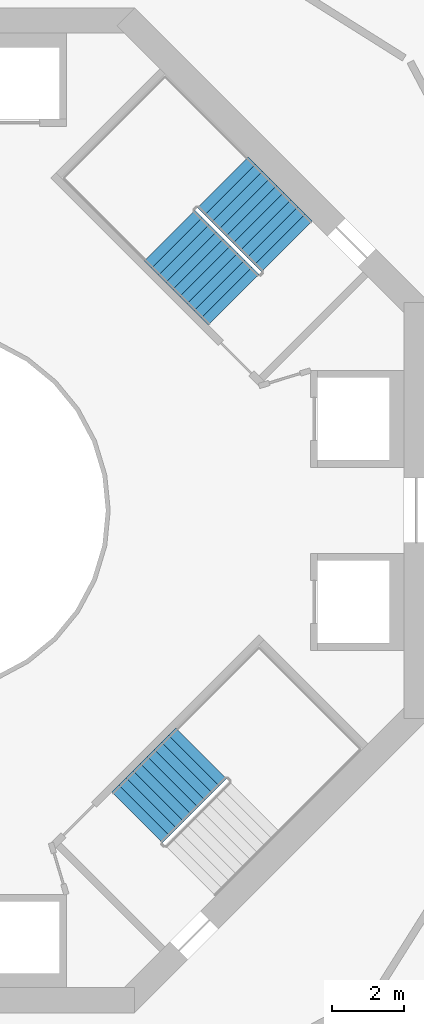
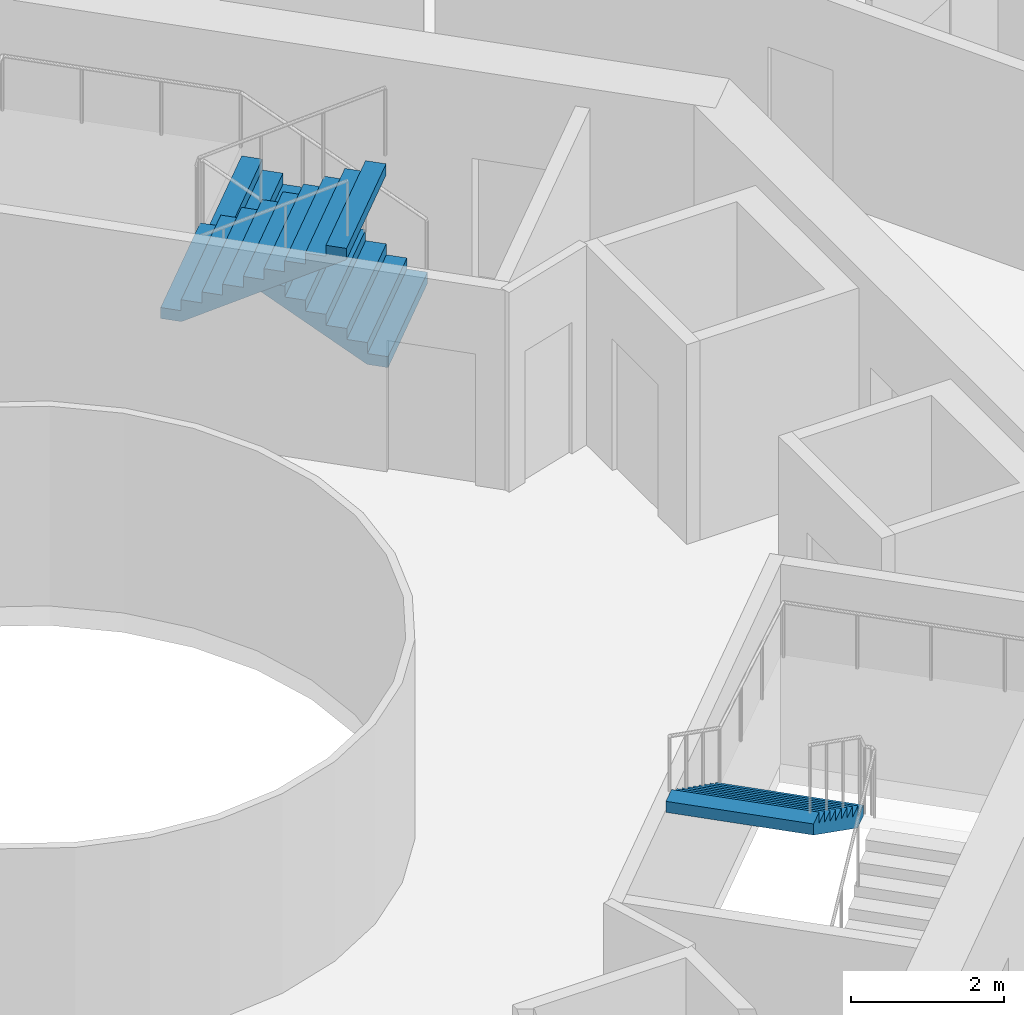
# One storey, part 22 of 23: 3 stair flights, 2 elements without a shape of their own.
"""IFC4 building model written with IfcOpenShell, lengths in metres."""

import ifcopenshell
import ifcopenshell.guid

model = None  # the IFC model being written
_history = None  # IfcOwnerHistory: only IFC2X3 demands one
_inside = {}  # id of a spatial element -> (the spatial element, [elements in it])
_under = {}  # id of a project, library or spatial element -> (it, [spatial elements below it])
_declared = {}  # id of a project -> (the project, [libraries it declares])
_typed = {}  # id of a type object -> (the type object, [elements of that type])
_made_of = {}  # id of a material, layer set ... -> (it, [elements and type objects made of it])


def new_model(schema):
    """Start an empty IFC model of exactly this schema.

    Asked for "IFC4X3", IfcOpenShell would pick the latest addendum, in which some entities
    have other attributes; the version numbers below select the first issue.
    IFC2X3 requires an IfcOwnerHistory on every rooted entity: one is made here for all.
    """
    global model, _history
    if schema == "IFC4X3":
        model = ifcopenshell.file(schema_version=(4, 3, 0, 0))
    else:
        model = ifcopenshell.file(schema=schema)
    _inside.clear()
    _under.clear()
    _declared.clear()
    _typed.clear()
    _made_of.clear()
    _history = None
    if model.schema == "IFC2X3":
        org = make("IfcOrganization", Name="unknown")
        user = make(
            "IfcPersonAndOrganization",
            ThePerson=make("IfcPerson", FamilyName="unknown"),
            TheOrganization=org,
        )
        app = make(
            "IfcApplication",
            ApplicationDeveloper=org,
            Version="unknown",
            ApplicationFullName="unknown",
            ApplicationIdentifier="unknown",
        )
        _history = make(
            "IfcOwnerHistory",
            OwningUser=user,
            OwningApplication=app,
            ChangeAction="ADDED",
            CreationDate=0,
        )
    return model


def make(cls, **values):
    """One entity of the class cls with the attributes given. An attribute that is None is left unset."""
    return model.create_entity(
        cls, **{name: value for name, value in values.items() if value is not None}
    )


def rooted(cls, **values):
    """An entity with a GlobalId (a new one), such as an element, a storey or a relation."""
    return make(cls, GlobalId=ifcopenshell.guid.new(), OwnerHistory=_history, **values)


def si_unit(unit_type, name, prefix=None):
    """IfcSIUnit, for example si_unit("LENGTHUNIT", "METRE", prefix="MILLI")."""
    return make("IfcSIUnit", UnitType=unit_type, Prefix=prefix, Name=name)


def assignment(units):
    """IfcUnitAssignment: the units of a project."""
    return None if units is None else make("IfcUnitAssignment", Units=units)


def point(xyz):
    """IfcCartesianPoint."""
    return None if xyz is None else make("IfcCartesianPoint", Coordinates=xyz)


def direction(xyz):
    """IfcDirection."""
    return None if xyz is None else make("IfcDirection", DirectionRatios=xyz)


def frame(location, z_axis=None, x_axis=None):
    """IfcAxis2Placement3D, a coordinate frame: its origin and axes. An axis left out is left unset."""
    return make(
        "IfcAxis2Placement3D",
        Location=point(location),
        Axis=direction(z_axis),
        RefDirection=direction(x_axis),
    )


def origin():
    """The frame at (0, 0, 0) with its axes left unset."""
    return frame((0.0, 0.0, 0.0))


def place(relative_to, where):
    """IfcLocalPlacement: puts the frame where relative to a parent placement (None: the world)."""
    return make(
        "IfcLocalPlacement", PlacementRelTo=relative_to, RelativePlacement=where
    )


def context(
    kind, dimensions, precision=None, world=None, true_north=None, identifier=None
):
    """IfcGeometricRepresentationContext, for example the 3D "Model" context."""
    return make(
        "IfcGeometricRepresentationContext",
        ContextIdentifier=identifier,
        ContextType=kind,
        CoordinateSpaceDimension=dimensions,
        Precision=precision,
        WorldCoordinateSystem=world,
        TrueNorth=true_north,
    )


def subcontext(parent, identifier, kind, view, scale=None):
    """IfcGeometricRepresentationSubContext, for example "Body" below "Model"."""
    return make(
        "IfcGeometricRepresentationSubContext",
        ContextIdentifier=identifier,
        ContextType=kind,
        ParentContext=parent,
        TargetScale=scale,
        TargetView=view,
    )


def project(units=None, contexts=None):
    """IfcProject with its units and contexts."""
    return rooted(
        "IfcProject",
        Name="project",
        RepresentationContexts=contexts,
        UnitsInContext=assignment(units),
    )


def spatial(cls, under=None, at=None, **own):
    """A site, building, storey or space (cls), placed at a placement, below another one or the project."""
    s = rooted(cls, ObjectPlacement=at, **own)
    if under is not None:
        _under.setdefault(under.id(), (under, []))[1].append(s)
    return s


def point_list(points):
    """IfcCartesianPointList2D or 3D."""
    cls = (
        "IfcCartesianPointList2D" if len(points[0]) == 2 else "IfcCartesianPointList3D"
    )
    return make(cls, CoordList=points)


def triangles(points, corners, closed=None, point_numbers=None):
    """IfcTriangulatedFaceSet: each triangle names its three corners, points numbered from 1."""
    return make(
        "IfcTriangulatedFaceSet",
        Coordinates=point_list(points),
        Closed=closed,
        CoordIndex=corners,
        PnIndex=point_numbers,
    )


def shape(context_of_items, identifier, shape_type, items):
    """IfcShapeRepresentation: the items that make up one representation, for example the "Body"."""
    return make(
        "IfcShapeRepresentation",
        ContextOfItems=context_of_items,
        RepresentationIdentifier=identifier,
        RepresentationType=shape_type,
        Items=items,
    )


def material(Name=None, Category=None):
    """IfcMaterial."""
    return make("IfcMaterial", Name=Name, Category=Category)


def made_of(thing, what):
    """Note that an element or type object is made of a material, layer set ...; save() writes the relation."""
    if what is not None:
        _made_of.setdefault(what.id(), (what, []))[1].append(thing)
    return thing


def type_object(cls, material=None, **own):
    """A type object (cls), such as IfcWallType, which elements share."""
    return made_of(rooted(cls, **own), material)


def element(
    cls,
    number,
    at=None,
    inside=None,
    cuts=None,
    type_object=None,
    material=None,
    context=None,
    identifier="Body",
    shape_type=None,
    held_by="IfcProductDefinitionShape",
    body=None,
    shapes=None,
    **own,
):
    """One element of the class cls, such as IfcWall. Its Tag is "e" and its number.

    at: its placement. inside: the storey or other place that contains it. cuts: it is an
    opening in that element (IfcRelVoidsElement). A single representation is given by context,
    identifier, shape_type and body (its items); several are given by shapes. held_by: the class
    of the entity that holds the representations. save() writes the other relations.
    """
    e = rooted(cls, Tag="e%d" % number, ObjectPlacement=at, **own)
    if body is not None:
        shapes = [shape(context, identifier, shape_type, body)]
    if shapes is not None:
        e.Representation = make(held_by, Representations=shapes)
    if inside is not None:
        _inside.setdefault(inside.id(), (inside, []))[1].append(e)
    if cuts is not None:
        rooted(
            "IfcRelVoidsElement", RelatingBuildingElement=cuts, RelatedOpeningElement=e
        )
    if type_object is not None:
        _typed.setdefault(type_object.id(), (type_object, []))[1].append(e)
    return made_of(e, material)


def aggregate(whole, parts):
    """IfcRelAggregates: a whole, such as a stair, and the parts it consists of."""
    return rooted("IfcRelAggregates", RelatingObject=whole, RelatedObjects=parts)


def save(model, path):
    """Write the relations noted so far, then the file.

    IfcRelAggregates (storeys below a building ...), IfcRelContainedInSpatialStructure (elements
    in a storey), IfcRelDefinesByType, IfcRelAssociatesMaterial and IfcRelDeclares: one each for
    every whole, place, type object, material and project.
    """
    for whole, parts in _under.values():
        aggregate(whole, parts)
    for where, things in _inside.values():
        rooted(
            "IfcRelContainedInSpatialStructure",
            RelatedElements=things,
            RelatingStructure=where,
        )
    for kind, things in _typed.values():
        rooted("IfcRelDefinesByType", RelatedObjects=things, RelatingType=kind)
    for what, things in _made_of.values():
        rooted("IfcRelAssociatesMaterial", RelatedObjects=things, RelatingMaterial=what)
    for by, libraries in _declared.values():
        rooted("IfcRelDeclares", RelatingContext=by, RelatedDefinitions=libraries)
    model.write(path)


model = new_model("IFC4")

# Units and contexts
model_context = context("Model", 3, precision=1e-05, world=origin(), true_north=direction((0.0, 1.0)))
body_context = subcontext(model_context, "Body", "Model", "MODEL_VIEW")
ifc_project = project(units=[si_unit("LENGTHUNIT", "METRE"), si_unit("AREAUNIT", "SQUARE_METRE"), si_unit("VOLUMEUNIT", "CUBIC_METRE"), si_unit("PLANEANGLEUNIT", "RADIAN"), si_unit("MASSUNIT", "GRAM", prefix="KILO")], contexts=[model_context])

# Site, building, storey
site_placement = place(None, origin())
site = spatial("IfcSite", under=ifc_project, at=site_placement, CompositionType="ELEMENT")
building_placement = place(site_placement, origin())
building = spatial("IfcBuilding", under=site, at=building_placement, Name="Verdalira Terraces Hotel", CompositionType="ELEMENT")
storey_placement = place(building_placement, frame((0.0, 0.0, 147.0)))
storey = spatial("IfcBuildingStorey", under=building, at=storey_placement, Name="L35", CompositionType="ELEMENT", Elevation=147.0)

# Stair, stair flights
ifc_material_1 = material(Name="Concrete C40", Category="concrete")
stair_type = type_object("IfcStairType", Name="Core stair 20 risers 2000 mm wide", PredefinedType="HALF_TURN_STAIR", material=ifc_material_1)
stair_1_placement = place(storey_placement, origin())
stair_1 = element("IfcStair", 1, at=stair_1_placement, inside=storey, type_object=stair_type, Name="L35 Exit stair ST1", PredefinedType="HALF_TURN_STAIR")
ifc_material_2 = material(Name="Concrete C40", Category="concrete")
stair_flight_type = type_object("IfcStairFlightType", Name="Core stair flight 20 risers 2000 mm wide", PredefinedType="STRAIGHT", material=ifc_material_2)
stair_flight_1_placement = place(storey_placement, frame((10.041016, 7.354004, 0.0), z_axis=(0.0, 0.0, 1.0), x_axis=(-0.707106781, 0.707106781, 0.0)))
stair_flight_1 = element("IfcStairFlight", 2, at=stair_flight_1_placement, type_object=stair_flight_type, Name="ST1 flight 1", NumberOfRisers=10, NumberOfTreads=9, PredefinedType="STRAIGHT", RiserHeight=0.175, TreadLength=0.28, context=body_context, shape_type="Tessellation", body=[
    triangles([(0.0, 1.0, 0.0), (0.282715, 1.0, 0.0), (2.52002, 1.0, 1.398193), (0.0, -1.0, 0.0), (0.282715, -1.0, 0.0), (2.52002, -1.0, 1.398193), (2.52002, 1.0, 1.574951), (2.23999, 1.0, 1.574951), (2.52002, -1.0, 1.574951), (2.23999, -1.0, 1.574951), (2.23999, 1.0, 1.399902), (2.23999, -1.0, 1.399902), (1.959961, 1.0, 1.399902), (1.959961, -1.0, 1.399902), (1.959961, 1.0, 1.225098), (1.959961, -1.0, 1.225098), (1.679932, 1.0, 1.225098), (1.679932, 1.0, 1.050049), (1.679932, -1.0, 1.225098), (1.679932, -1.0, 1.050049), (1.399902, 1.0, 1.050049), (1.399902, 1.0, 0.875), (1.399902, -1.0, 1.050049), (1.399902, -1.0, 0.875), (1.120117, 1.0, 0.875), (1.120117, 1.0, 0.699951), (1.120117, -1.0, 0.875), (1.120117, -1.0, 0.699951), (0.840088, 1.0, 0.699951), (0.840088, 1.0, 0.524902), (0.840088, -1.0, 0.699951), (0.840088, -1.0, 0.524902), (0.560059, 1.0, 0.524902), (0.560059, 1.0, 0.350098), (0.560059, -1.0, 0.524902), (0.560059, -1.0, 0.350098), (0.280029, 1.0, 0.350098), (0.280029, 1.0, 0.175049), (0.280029, -1.0, 0.350098), (0.280029, -1.0, 0.175049), (0.0, 1.0, 0.175049), (0.0, -1.0, 0.175049), (0.0, -0.9375, 0.0), (0.0, -0.9375, 0.175049), (0.0, -0.875, 0.0), (0.0, -0.875, 0.175049), (0.0, -0.8125, 0.0), (0.0, -0.8125, 0.175049), (0.0, -0.75, 0.0), (0.0, -0.75, 0.175049), (0.0, -0.6875, 0.0), (0.0, -0.6875, 0.175049), (0.0, -0.625, 0.0), (0.0, -0.625, 0.175049), (0.0, -0.5625, 0.0), (0.0, -0.5625, 0.175049), (0.0, -0.5, 0.0), (0.0, -0.5, 0.175049), (0.0, -0.4375, 0.0), (0.0, -0.4375, 0.175049), (0.0, -0.375, 0.0), (0.0, -0.375, 0.175049), (0.0, -0.3125, 0.0), (0.0, -0.3125, 0.175049), (0.0, -0.25, 0.0), (0.0, -0.25, 0.175049), (0.0, -0.1875, 0.0), (0.0, -0.1875, 0.175049), (0.0, -0.125, 0.0), (0.0, -0.125, 0.175049), (0.0, -0.0625, 0.0), (0.0, -0.0625, 0.175049), (0.0, 0.0, 0.0), (0.0, 0.0, 0.175049), (0.0, 0.0625, 0.0), (0.0, 0.0625, 0.175049), (0.0, 0.125, 0.0), (0.0, 0.125, 0.175049), (0.0, 0.1875, 0.0), (0.0, 0.1875, 0.175049), (0.0, 0.25, 0.0), (0.0, 0.25, 0.175049), (0.0, 0.3125, 0.0), (0.0, 0.3125, 0.175049), (0.0, 0.375, 0.0), (0.0, 0.375, 0.175049), (0.0, 0.4375, 0.0), (0.0, 0.4375, 0.175049), (0.0, 0.5, 0.0), (0.0, 0.5, 0.175049), (0.0, 0.5625, 0.0), (0.0, 0.5625, 0.175049), (0.0, 0.625, 0.0), (0.0, 0.625, 0.175049), (0.0, 0.6875, 0.0), (0.0, 0.6875, 0.175049), (0.0, 0.75, 0.0), (0.0, 0.75, 0.175049), (0.0, 0.8125, 0.0), (0.0, 0.8125, 0.175049), (0.0, 0.875, 0.0), (0.0, 0.875, 0.175049), (0.0, 0.9375, 0.0), (0.0, 0.9375, 0.175049), (2.52002, -0.9375, 1.574951), (2.52002, -0.875, 1.574951), (2.52002, -0.8125, 1.574951), (2.52002, -0.75, 1.574951), (2.52002, -0.6875, 1.574951), (2.52002, -0.625, 1.574951), (2.52002, -0.5625, 1.574951), (2.52002, -0.5, 1.574951), (2.52002, -0.4375, 1.574951), (2.52002, -0.375, 1.574951), (2.52002, -0.3125, 1.574951), (2.52002, -0.25, 1.574951), (2.52002, -0.1875, 1.574951), (2.52002, -0.125, 1.574951), (2.52002, -0.0625, 1.574951), (2.52002, 0.0, 1.574951), (2.52002, 0.0625, 1.574951), (2.52002, 0.125, 1.574951), (2.52002, 0.1875, 1.574951), (2.52002, 0.25, 1.574951), (2.52002, 0.3125, 1.574951), (2.52002, 0.375, 1.574951), (2.52002, 0.4375, 1.574951), (2.52002, 0.5, 1.574951), (2.52002, 0.5625, 1.574951), (2.52002, 0.625, 1.574951), (2.52002, 0.6875, 1.574951), (2.52002, 0.75, 1.574951), (2.52002, 0.8125, 1.574951), (2.52002, 0.875, 1.574951), (2.52002, 0.9375, 1.574951), (2.52002, -0.9375, 1.398193), (2.52002, -0.875, 1.398193), (2.52002, -0.8125, 1.398193), (2.52002, -0.75, 1.398193), (2.52002, -0.6875, 1.398193), (2.52002, -0.625, 1.398193), (2.52002, -0.5625, 1.398193), (2.52002, -0.5, 1.398193), (2.52002, -0.4375, 1.398193), (2.52002, -0.375, 1.398193), (2.52002, -0.3125, 1.398193), (2.52002, -0.25, 1.398193), (2.52002, -0.1875, 1.398193), (2.52002, -0.125, 1.398193), (2.52002, -0.0625, 1.398193), (2.52002, 0.0, 1.398193), (2.52002, 0.0625, 1.398193), (2.52002, 0.125, 1.398193), (2.52002, 0.1875, 1.398193), (2.52002, 0.25, 1.398193), (2.52002, 0.3125, 1.398193), (2.52002, 0.375, 1.398193), (2.52002, 0.4375, 1.398193), (2.52002, 0.5, 1.398193), (2.52002, 0.5625, 1.398193), (2.52002, 0.625, 1.398193), (2.52002, 0.6875, 1.398193), (2.52002, 0.75, 1.398193), (2.52002, 0.8125, 1.398193), (2.52002, 0.875, 1.398193), (2.52002, 0.9375, 1.398193)], [[1, 3, 2], [4, 5, 6], [3, 8, 7], [6, 9, 10], [3, 11, 8], [6, 10, 12], [3, 13, 11], [6, 12, 14], [3, 15, 13], [6, 14, 16], [15, 18, 17], [16, 19, 20], [3, 18, 15], [6, 16, 20], [18, 22, 21], [20, 23, 24], [3, 22, 18], [6, 20, 24], [22, 26, 25], [24, 27, 28], [3, 26, 22], [6, 24, 28], [26, 30, 29], [28, 31, 32], [3, 30, 26], [6, 28, 32], [1, 30, 3], [4, 6, 32], [30, 34, 33], [32, 35, 36], [34, 38, 37], [36, 39, 40], [30, 38, 34], [32, 36, 40], [1, 38, 30], [4, 32, 40], [38, 1, 41], [40, 42, 4], [4, 44, 43], [4, 42, 44], [43, 46, 45], [43, 44, 46], [45, 48, 47], [45, 46, 48], [47, 50, 49], [47, 48, 50], [49, 52, 51], [49, 50, 52], [51, 54, 53], [51, 52, 54], [53, 56, 55], [53, 54, 56], [55, 58, 57], [55, 56, 58], [57, 60, 59], [57, 58, 60], [59, 62, 61], [59, 60, 62], [61, 64, 63], [61, 62, 64], [63, 66, 65], [63, 64, 66], [65, 68, 67], [65, 66, 68], [67, 70, 69], [67, 68, 70], [69, 72, 71], [69, 70, 72], [71, 74, 73], [71, 72, 74], [73, 76, 75], [73, 74, 76], [75, 78, 77], [75, 76, 78], [77, 80, 79], [77, 78, 80], [79, 82, 81], [79, 80, 82], [81, 84, 83], [81, 82, 84], [83, 86, 85], [83, 84, 86], [85, 88, 87], [85, 86, 88], [87, 90, 89], [87, 88, 90], [89, 92, 91], [89, 90, 92], [91, 94, 93], [91, 92, 94], [93, 96, 95], [93, 94, 96], [95, 98, 97], [95, 96, 98], [97, 100, 99], [97, 98, 100], [99, 102, 101], [99, 100, 102], [101, 104, 103], [101, 102, 104], [103, 41, 1], [103, 104, 41], [42, 40, 44], [44, 40, 46], [46, 40, 48], [48, 40, 50], [50, 40, 52], [52, 40, 54], [54, 40, 56], [56, 40, 58], [58, 40, 60], [60, 40, 62], [62, 40, 64], [64, 40, 66], [66, 40, 68], [68, 40, 70], [70, 40, 72], [72, 40, 74], [74, 40, 76], [76, 40, 78], [78, 40, 80], [80, 40, 82], [82, 40, 84], [84, 40, 86], [86, 40, 88], [88, 40, 90], [90, 40, 92], [92, 40, 94], [94, 40, 96], [96, 40, 98], [98, 40, 100], [100, 40, 102], [102, 40, 104], [104, 40, 41], [41, 40, 38], [40, 37, 38], [40, 39, 37], [39, 34, 37], [39, 36, 34], [36, 33, 34], [36, 35, 33], [35, 30, 33], [35, 32, 30], [32, 29, 30], [32, 31, 29], [31, 26, 29], [31, 28, 26], [28, 25, 26], [28, 27, 25], [27, 22, 25], [27, 24, 22], [24, 21, 22], [24, 23, 21], [23, 18, 21], [23, 20, 18], [20, 17, 18], [20, 19, 17], [19, 15, 17], [19, 16, 15], [16, 13, 15], [16, 14, 13], [14, 11, 13], [14, 12, 11], [12, 8, 11], [12, 10, 8], [9, 105, 10], [105, 106, 10], [106, 107, 10], [107, 108, 10], [108, 109, 10], [109, 110, 10], [110, 111, 10], [111, 112, 10], [112, 113, 10], [113, 114, 10], [114, 115, 10], [115, 116, 10], [116, 117, 10], [117, 118, 10], [118, 119, 10], [119, 120, 10], [120, 121, 10], [121, 122, 10], [122, 123, 10], [123, 124, 10], [124, 125, 10], [125, 126, 10], [126, 127, 10], [127, 128, 10], [128, 129, 10], [129, 130, 10], [130, 131, 10], [131, 132, 10], [132, 133, 10], [133, 134, 10], [134, 135, 10], [135, 7, 10], [7, 8, 10], [9, 136, 105], [9, 6, 136], [105, 137, 106], [105, 136, 137], [106, 138, 107], [106, 137, 138], [107, 139, 108], [107, 138, 139], [108, 140, 109], [108, 139, 140], [109, 141, 110], [109, 140, 141], [110, 142, 111], [110, 141, 142], [111, 143, 112], [111, 142, 143], [112, 144, 113], [112, 143, 144], [113, 145, 114], [113, 144, 145], [114, 146, 115], [114, 145, 146], [115, 147, 116], [115, 146, 147], [116, 148, 117], [116, 147, 148], [117, 149, 118], [117, 148, 149], [118, 150, 119], [118, 149, 150], [119, 151, 120], [119, 150, 151], [120, 152, 121], [120, 151, 152], [121, 153, 122], [121, 152, 153], [122, 154, 123], [122, 153, 154], [123, 155, 124], [123, 154, 155], [124, 156, 125], [124, 155, 156], [125, 157, 126], [125, 156, 157], [126, 158, 127], [126, 157, 158], [127, 159, 128], [127, 158, 159], [128, 160, 129], [128, 159, 160], [129, 161, 130], [129, 160, 161], [130, 162, 131], [130, 161, 162], [131, 163, 132], [131, 162, 163], [132, 164, 133], [132, 163, 164], [133, 165, 134], [133, 164, 165], [134, 166, 135], [134, 165, 166], [135, 3, 7], [135, 166, 3], [6, 5, 136], [136, 5, 137], [137, 5, 138], [138, 5, 139], [139, 5, 140], [140, 5, 141], [141, 5, 142], [142, 5, 143], [143, 5, 144], [144, 5, 145], [145, 5, 146], [146, 5, 147], [147, 5, 148], [148, 5, 149], [149, 5, 150], [150, 5, 151], [151, 5, 152], [152, 5, 153], [153, 5, 154], [154, 5, 155], [155, 5, 156], [156, 5, 157], [157, 5, 158], [158, 5, 159], [159, 5, 160], [160, 5, 161], [161, 5, 162], [162, 5, 163], [163, 5, 164], [164, 5, 165], [165, 5, 166], [166, 5, 3], [3, 5, 2], [4, 43, 5], [43, 45, 5], [45, 47, 5], [47, 49, 5], [49, 51, 5], [51, 53, 5], [53, 55, 5], [55, 57, 5], [57, 59, 5], [59, 61, 5], [61, 63, 5], [63, 65, 5], [65, 67, 5], [67, 69, 5], [69, 71, 5], [71, 73, 5], [73, 75, 5], [75, 77, 5], [77, 79, 5], [79, 81, 5], [81, 83, 5], [83, 85, 5], [85, 87, 5], [87, 89, 5], [89, 91, 5], [91, 93, 5], [93, 95, 5], [95, 97, 5], [97, 99, 5], [99, 101, 5], [101, 103, 5], [103, 1, 5], [1, 2, 5]], closed=True),
])
stair_flight_2_placement = place(storey_placement, frame((6.77417, 7.650879, 1.75), z_axis=(0.0, 0.0, 1.0), x_axis=(0.707106781, -0.707106781, 0.0)))
stair_flight_2 = element("IfcStairFlight", 3, at=stair_flight_2_placement, type_object=stair_flight_type, Name="ST1 flight 2", NumberOfRisers=10, NumberOfTreads=9, PredefinedType="STRAIGHT", RiserHeight=0.175, TreadLength=0.28, context=body_context, shape_type="Tessellation", body=[
    triangles([(0.0, 1.0, 0.0), (0.282715, 1.0, 0.0), (2.52002, 1.0, 1.398193), (0.0, -1.0, 0.0), (0.282715, -1.0, 0.0), (2.52002, -1.0, 1.398193), (2.52002, 1.0, 1.574951), (2.23999, 1.0, 1.574951), (2.52002, -1.0, 1.574951), (2.23999, -1.0, 1.574951), (2.23999, 1.0, 1.399902), (2.23999, -1.0, 1.399902), (1.959961, 1.0, 1.399902), (1.959961, -1.0, 1.399902), (1.959961, 1.0, 1.225098), (1.959961, -1.0, 1.225098), (1.679932, 1.0, 1.225098), (1.679932, 1.0, 1.050049), (1.679932, -1.0, 1.225098), (1.679932, -1.0, 1.050049), (1.399902, 1.0, 1.050049), (1.399902, 1.0, 0.875), (1.399902, -1.0, 1.050049), (1.399902, -1.0, 0.875), (1.120117, 1.0, 0.875), (1.120117, 1.0, 0.699951), (1.120117, -1.0, 0.875), (1.120117, -1.0, 0.699951), (0.840088, 1.0, 0.699951), (0.840088, 1.0, 0.524902), (0.840088, -1.0, 0.699951), (0.840088, -1.0, 0.524902), (0.560059, 1.0, 0.524902), (0.560059, 1.0, 0.350098), (0.560059, -1.0, 0.524902), (0.560059, -1.0, 0.350098), (0.280029, 1.0, 0.350098), (0.280029, 1.0, 0.175049), (0.280029, -1.0, 0.350098), (0.280029, -1.0, 0.175049), (0.0, 1.0, 0.175049), (0.0, -1.0, 0.175049), (0.0, -0.9375, 0.0), (0.0, -0.9375, 0.175049), (0.0, -0.875, 0.0), (0.0, -0.875, 0.175049), (0.0, -0.8125, 0.0), (0.0, -0.8125, 0.175049), (0.0, -0.75, 0.0), (0.0, -0.75, 0.175049), (0.0, -0.6875, 0.0), (0.0, -0.6875, 0.175049), (0.0, -0.625, 0.0), (0.0, -0.625, 0.175049), (0.0, -0.5625, 0.0), (0.0, -0.5625, 0.175049), (0.0, -0.5, 0.0), (0.0, -0.5, 0.175049), (0.0, -0.4375, 0.0), (0.0, -0.4375, 0.175049), (0.0, -0.375, 0.0), (0.0, -0.375, 0.175049), (0.0, -0.3125, 0.0), (0.0, -0.3125, 0.175049), (0.0, -0.25, 0.0), (0.0, -0.25, 0.175049), (0.0, -0.1875, 0.0), (0.0, -0.1875, 0.175049), (0.0, -0.125, 0.0), (0.0, -0.125, 0.175049), (0.0, -0.0625, 0.0), (0.0, -0.0625, 0.175049), (0.0, 0.0, 0.0), (0.0, 0.0, 0.175049), (0.0, 0.0625, 0.0), (0.0, 0.0625, 0.175049), (0.0, 0.125, 0.0), (0.0, 0.125, 0.175049), (0.0, 0.1875, 0.0), (0.0, 0.1875, 0.175049), (0.0, 0.25, 0.0), (0.0, 0.25, 0.175049), (0.0, 0.3125, 0.0), (0.0, 0.3125, 0.175049), (0.0, 0.375, 0.0), (0.0, 0.375, 0.175049), (0.0, 0.4375, 0.0), (0.0, 0.4375, 0.175049), (0.0, 0.5, 0.0), (0.0, 0.5, 0.175049), (0.0, 0.5625, 0.0), (0.0, 0.5625, 0.175049), (0.0, 0.625, 0.0), (0.0, 0.625, 0.175049), (0.0, 0.6875, 0.0), (0.0, 0.6875, 0.175049), (0.0, 0.75, 0.0), (0.0, 0.75, 0.175049), (0.0, 0.8125, 0.0), (0.0, 0.8125, 0.175049), (0.0, 0.875, 0.0), (0.0, 0.875, 0.175049), (0.0, 0.9375, 0.0), (0.0, 0.9375, 0.175049), (2.52002, -0.9375, 1.574951), (2.52002, -0.875, 1.574951), (2.52002, -0.8125, 1.574951), (2.52002, -0.75, 1.574951), (2.52002, -0.6875, 1.574951), (2.52002, -0.625, 1.574951), (2.52002, -0.5625, 1.574951), (2.52002, -0.5, 1.574951), (2.52002, -0.4375, 1.574951), (2.52002, -0.375, 1.574951), (2.52002, -0.3125, 1.574951), (2.52002, -0.25, 1.574951), (2.52002, -0.1875, 1.574951), (2.52002, -0.125, 1.574951), (2.52002, -0.0625, 1.574951), (2.52002, 0.0, 1.574951), (2.52002, 0.0625, 1.574951), (2.52002, 0.125, 1.574951), (2.52002, 0.1875, 1.574951), (2.52002, 0.25, 1.574951), (2.52002, 0.3125, 1.574951), (2.52002, 0.375, 1.574951), (2.52002, 0.4375, 1.574951), (2.52002, 0.5, 1.574951), (2.52002, 0.5625, 1.574951), (2.52002, 0.625, 1.574951), (2.52002, 0.6875, 1.574951), (2.52002, 0.75, 1.574951), (2.52002, 0.8125, 1.574951), (2.52002, 0.875, 1.574951), (2.52002, 0.9375, 1.574951), (2.52002, -0.9375, 1.398193), (2.52002, -0.875, 1.398193), (2.52002, -0.8125, 1.398193), (2.52002, -0.75, 1.398193), (2.52002, -0.6875, 1.398193), (2.52002, -0.625, 1.398193), (2.52002, -0.5625, 1.398193), (2.52002, -0.5, 1.398193), (2.52002, -0.4375, 1.398193), (2.52002, -0.375, 1.398193), (2.52002, -0.3125, 1.398193), (2.52002, -0.25, 1.398193), (2.52002, -0.1875, 1.398193), (2.52002, -0.125, 1.398193), (2.52002, -0.0625, 1.398193), (2.52002, 0.0, 1.398193), (2.52002, 0.0625, 1.398193), (2.52002, 0.125, 1.398193), (2.52002, 0.1875, 1.398193), (2.52002, 0.25, 1.398193), (2.52002, 0.3125, 1.398193), (2.52002, 0.375, 1.398193), (2.52002, 0.4375, 1.398193), (2.52002, 0.5, 1.398193), (2.52002, 0.5625, 1.398193), (2.52002, 0.625, 1.398193), (2.52002, 0.6875, 1.398193), (2.52002, 0.75, 1.398193), (2.52002, 0.8125, 1.398193), (2.52002, 0.875, 1.398193), (2.52002, 0.9375, 1.398193)], [[1, 3, 2], [4, 5, 6], [3, 8, 7], [6, 9, 10], [3, 11, 8], [6, 10, 12], [3, 13, 11], [6, 12, 14], [3, 15, 13], [6, 14, 16], [15, 18, 17], [16, 19, 20], [3, 18, 15], [6, 16, 20], [18, 22, 21], [20, 23, 24], [3, 22, 18], [6, 20, 24], [22, 26, 25], [24, 27, 28], [3, 26, 22], [6, 24, 28], [26, 30, 29], [28, 31, 32], [3, 30, 26], [6, 28, 32], [1, 30, 3], [4, 6, 32], [30, 34, 33], [32, 35, 36], [34, 38, 37], [36, 39, 40], [30, 38, 34], [32, 36, 40], [1, 38, 30], [4, 32, 40], [38, 1, 41], [40, 42, 4], [4, 44, 43], [4, 42, 44], [43, 46, 45], [43, 44, 46], [45, 48, 47], [45, 46, 48], [47, 50, 49], [47, 48, 50], [49, 52, 51], [49, 50, 52], [51, 54, 53], [51, 52, 54], [53, 56, 55], [53, 54, 56], [55, 58, 57], [55, 56, 58], [57, 60, 59], [57, 58, 60], [59, 62, 61], [59, 60, 62], [61, 64, 63], [61, 62, 64], [63, 66, 65], [63, 64, 66], [65, 68, 67], [65, 66, 68], [67, 70, 69], [67, 68, 70], [69, 72, 71], [69, 70, 72], [71, 74, 73], [71, 72, 74], [73, 76, 75], [73, 74, 76], [75, 78, 77], [75, 76, 78], [77, 80, 79], [77, 78, 80], [79, 82, 81], [79, 80, 82], [81, 84, 83], [81, 82, 84], [83, 86, 85], [83, 84, 86], [85, 88, 87], [85, 86, 88], [87, 90, 89], [87, 88, 90], [89, 92, 91], [89, 90, 92], [91, 94, 93], [91, 92, 94], [93, 96, 95], [93, 94, 96], [95, 98, 97], [95, 96, 98], [97, 100, 99], [97, 98, 100], [99, 102, 101], [99, 100, 102], [101, 104, 103], [101, 102, 104], [103, 41, 1], [103, 104, 41], [42, 40, 44], [44, 40, 46], [46, 40, 48], [48, 40, 50], [50, 40, 52], [52, 40, 54], [54, 40, 56], [56, 40, 58], [58, 40, 60], [60, 40, 62], [62, 40, 64], [64, 40, 66], [66, 40, 68], [68, 40, 70], [70, 40, 72], [72, 40, 74], [74, 40, 76], [76, 40, 78], [78, 40, 80], [80, 40, 82], [82, 40, 84], [84, 40, 86], [86, 40, 88], [88, 40, 90], [90, 40, 92], [92, 40, 94], [94, 40, 96], [96, 40, 98], [98, 40, 100], [100, 40, 102], [102, 40, 104], [104, 40, 41], [41, 40, 38], [40, 37, 38], [40, 39, 37], [39, 34, 37], [39, 36, 34], [36, 33, 34], [36, 35, 33], [35, 30, 33], [35, 32, 30], [32, 29, 30], [32, 31, 29], [31, 26, 29], [31, 28, 26], [28, 25, 26], [28, 27, 25], [27, 22, 25], [27, 24, 22], [24, 21, 22], [24, 23, 21], [23, 18, 21], [23, 20, 18], [20, 17, 18], [20, 19, 17], [19, 15, 17], [19, 16, 15], [16, 13, 15], [16, 14, 13], [14, 11, 13], [14, 12, 11], [12, 8, 11], [12, 10, 8], [9, 105, 10], [105, 106, 10], [106, 107, 10], [107, 108, 10], [108, 109, 10], [109, 110, 10], [110, 111, 10], [111, 112, 10], [112, 113, 10], [113, 114, 10], [114, 115, 10], [115, 116, 10], [116, 117, 10], [117, 118, 10], [118, 119, 10], [119, 120, 10], [120, 121, 10], [121, 122, 10], [122, 123, 10], [123, 124, 10], [124, 125, 10], [125, 126, 10], [126, 127, 10], [127, 128, 10], [128, 129, 10], [129, 130, 10], [130, 131, 10], [131, 132, 10], [132, 133, 10], [133, 134, 10], [134, 135, 10], [135, 7, 10], [7, 8, 10], [9, 136, 105], [9, 6, 136], [105, 137, 106], [105, 136, 137], [106, 138, 107], [106, 137, 138], [107, 139, 108], [107, 138, 139], [108, 140, 109], [108, 139, 140], [109, 141, 110], [109, 140, 141], [110, 142, 111], [110, 141, 142], [111, 143, 112], [111, 142, 143], [112, 144, 113], [112, 143, 144], [113, 145, 114], [113, 144, 145], [114, 146, 115], [114, 145, 146], [115, 147, 116], [115, 146, 147], [116, 148, 117], [116, 147, 148], [117, 149, 118], [117, 148, 149], [118, 150, 119], [118, 149, 150], [119, 151, 120], [119, 150, 151], [120, 152, 121], [120, 151, 152], [121, 153, 122], [121, 152, 153], [122, 154, 123], [122, 153, 154], [123, 155, 124], [123, 154, 155], [124, 156, 125], [124, 155, 156], [125, 157, 126], [125, 156, 157], [126, 158, 127], [126, 157, 158], [127, 159, 128], [127, 158, 159], [128, 160, 129], [128, 159, 160], [129, 161, 130], [129, 160, 161], [130, 162, 131], [130, 161, 162], [131, 163, 132], [131, 162, 163], [132, 164, 133], [132, 163, 164], [133, 165, 134], [133, 164, 165], [134, 166, 135], [134, 165, 166], [135, 3, 7], [135, 166, 3], [6, 5, 136], [136, 5, 137], [137, 5, 138], [138, 5, 139], [139, 5, 140], [140, 5, 141], [141, 5, 142], [142, 5, 143], [143, 5, 144], [144, 5, 145], [145, 5, 146], [146, 5, 147], [147, 5, 148], [148, 5, 149], [149, 5, 150], [150, 5, 151], [151, 5, 152], [152, 5, 153], [153, 5, 154], [154, 5, 155], [155, 5, 156], [156, 5, 157], [157, 5, 158], [158, 5, 159], [159, 5, 160], [160, 5, 161], [161, 5, 162], [162, 5, 163], [163, 5, 164], [164, 5, 165], [165, 5, 166], [166, 5, 3], [3, 5, 2], [4, 43, 5], [43, 45, 5], [45, 47, 5], [47, 49, 5], [49, 51, 5], [51, 53, 5], [53, 55, 5], [55, 57, 5], [57, 59, 5], [59, 61, 5], [61, 63, 5], [63, 65, 5], [65, 67, 5], [67, 69, 5], [69, 71, 5], [71, 73, 5], [73, 75, 5], [75, 77, 5], [77, 79, 5], [79, 81, 5], [81, 83, 5], [83, 85, 5], [85, 87, 5], [87, 89, 5], [89, 91, 5], [91, 93, 5], [93, 95, 5], [95, 97, 5], [97, 99, 5], [99, 101, 5], [101, 103, 5], [103, 1, 5], [1, 2, 5]], closed=True),
])
aggregate(stair_1, [stair_flight_1, stair_flight_2])

# Stair, stair flight
stair_2_placement = place(storey_placement, origin())
stair_2 = element("IfcStair", 4, at=stair_2_placement, inside=storey, type_object=stair_type, Name="L35 Exit stair ST3", PredefinedType="HALF_TURN_STAIR")
stair_flight_3_placement = place(storey_placement, frame((7.650879, -6.77417, 1.75), z_axis=(0.0, 0.0, 1.0), x_axis=(-0.707106781, -0.707106781, 0.0)))
stair_flight_3 = element("IfcStairFlight", 5, at=stair_flight_3_placement, type_object=stair_flight_type, Name="ST3 flight 2", NumberOfRisers=10, NumberOfTreads=9, PredefinedType="STRAIGHT", RiserHeight=0.175, TreadLength=0.28, context=body_context, shape_type="Tessellation", body=[
    triangles([(0.0, 1.0, 0.0), (0.282715, 1.0, 0.0), (2.52002, 1.0, 1.398193), (0.0, -1.0, 0.0), (0.282715, -1.0, 0.0), (2.52002, -1.0, 1.398193), (2.52002, 1.0, 1.574951), (2.23999, 1.0, 1.574951), (2.52002, -1.0, 1.574951), (2.23999, -1.0, 1.574951), (2.23999, 1.0, 1.399902), (2.23999, -1.0, 1.399902), (1.959961, 1.0, 1.399902), (1.959961, -1.0, 1.399902), (1.959961, 1.0, 1.225098), (1.959961, -1.0, 1.225098), (1.679932, 1.0, 1.225098), (1.679932, 1.0, 1.050049), (1.679932, -1.0, 1.225098), (1.679932, -1.0, 1.050049), (1.399902, 1.0, 1.050049), (1.399902, 1.0, 0.875), (1.399902, -1.0, 1.050049), (1.399902, -1.0, 0.875), (1.120117, 1.0, 0.875), (1.120117, 1.0, 0.699951), (1.120117, -1.0, 0.875), (1.120117, -1.0, 0.699951), (0.840088, 1.0, 0.699951), (0.840088, 1.0, 0.524902), (0.840088, -1.0, 0.699951), (0.840088, -1.0, 0.524902), (0.560059, 1.0, 0.524902), (0.560059, 1.0, 0.350098), (0.560059, -1.0, 0.524902), (0.560059, -1.0, 0.350098), (0.280029, 1.0, 0.350098), (0.280029, 1.0, 0.175049), (0.280029, -1.0, 0.350098), (0.280029, -1.0, 0.175049), (0.0, 1.0, 0.175049), (0.0, -1.0, 0.175049), (0.0, -0.9375, 0.0), (0.0, -0.9375, 0.175049), (0.0, -0.875, 0.0), (0.0, -0.875, 0.175049), (0.0, -0.8125, 0.0), (0.0, -0.8125, 0.175049), (0.0, -0.75, 0.0), (0.0, -0.75, 0.175049), (0.0, -0.6875, 0.0), (0.0, -0.6875, 0.175049), (0.0, -0.625, 0.0), (0.0, -0.625, 0.175049), (0.0, -0.5625, 0.0), (0.0, -0.5625, 0.175049), (0.0, -0.5, 0.0), (0.0, -0.5, 0.175049), (0.0, -0.4375, 0.0), (0.0, -0.4375, 0.175049), (0.0, -0.375, 0.0), (0.0, -0.375, 0.175049), (0.0, -0.3125, 0.0), (0.0, -0.3125, 0.175049), (0.0, -0.25, 0.0), (0.0, -0.25, 0.175049), (0.0, -0.1875, 0.0), (0.0, -0.1875, 0.175049), (0.0, -0.125, 0.0), (0.0, -0.125, 0.175049), (0.0, -0.0625, 0.0), (0.0, -0.0625, 0.175049), (0.0, 0.0, 0.0), (0.0, 0.0, 0.175049), (0.0, 0.0625, 0.0), (0.0, 0.0625, 0.175049), (0.0, 0.125, 0.0), (0.0, 0.125, 0.175049), (0.0, 0.1875, 0.0), (0.0, 0.1875, 0.175049), (0.0, 0.25, 0.0), (0.0, 0.25, 0.175049), (0.0, 0.3125, 0.0), (0.0, 0.3125, 0.175049), (0.0, 0.375, 0.0), (0.0, 0.375, 0.175049), (0.0, 0.4375, 0.0), (0.0, 0.4375, 0.175049), (0.0, 0.5, 0.0), (0.0, 0.5, 0.175049), (0.0, 0.5625, 0.0), (0.0, 0.5625, 0.175049), (0.0, 0.625, 0.0), (0.0, 0.625, 0.175049), (0.0, 0.6875, 0.0), (0.0, 0.6875, 0.175049), (0.0, 0.75, 0.0), (0.0, 0.75, 0.175049), (0.0, 0.8125, 0.0), (0.0, 0.8125, 0.175049), (0.0, 0.875, 0.0), (0.0, 0.875, 0.175049), (0.0, 0.9375, 0.0), (0.0, 0.9375, 0.175049), (2.52002, -0.9375, 1.574951), (2.52002, -0.875, 1.574951), (2.52002, -0.8125, 1.574951), (2.52002, -0.75, 1.574951), (2.52002, -0.6875, 1.574951), (2.52002, -0.625, 1.574951), (2.52002, -0.5625, 1.574951), (2.52002, -0.5, 1.574951), (2.52002, -0.4375, 1.574951), (2.52002, -0.375, 1.574951), (2.52002, -0.3125, 1.574951), (2.52002, -0.25, 1.574951), (2.52002, -0.1875, 1.574951), (2.52002, -0.125, 1.574951), (2.52002, -0.0625, 1.574951), (2.52002, 0.0, 1.574951), (2.52002, 0.0625, 1.574951), (2.52002, 0.125, 1.574951), (2.52002, 0.1875, 1.574951), (2.52002, 0.25, 1.574951), (2.52002, 0.3125, 1.574951), (2.52002, 0.375, 1.574951), (2.52002, 0.4375, 1.574951), (2.52002, 0.5, 1.574951), (2.52002, 0.5625, 1.574951), (2.52002, 0.625, 1.574951), (2.52002, 0.6875, 1.574951), (2.52002, 0.75, 1.574951), (2.52002, 0.8125, 1.574951), (2.52002, 0.875, 1.574951), (2.52002, 0.9375, 1.574951), (2.52002, -0.9375, 1.398193), (2.52002, -0.875, 1.398193), (2.52002, -0.8125, 1.398193), (2.52002, -0.75, 1.398193), (2.52002, -0.6875, 1.398193), (2.52002, -0.625, 1.398193), (2.52002, -0.5625, 1.398193), (2.52002, -0.5, 1.398193), (2.52002, -0.4375, 1.398193), (2.52002, -0.375, 1.398193), (2.52002, -0.3125, 1.398193), (2.52002, -0.25, 1.398193), (2.52002, -0.1875, 1.398193), (2.52002, -0.125, 1.398193), (2.52002, -0.0625, 1.398193), (2.52002, 0.0, 1.398193), (2.52002, 0.0625, 1.398193), (2.52002, 0.125, 1.398193), (2.52002, 0.1875, 1.398193), (2.52002, 0.25, 1.398193), (2.52002, 0.3125, 1.398193), (2.52002, 0.375, 1.398193), (2.52002, 0.4375, 1.398193), (2.52002, 0.5, 1.398193), (2.52002, 0.5625, 1.398193), (2.52002, 0.625, 1.398193), (2.52002, 0.6875, 1.398193), (2.52002, 0.75, 1.398193), (2.52002, 0.8125, 1.398193), (2.52002, 0.875, 1.398193), (2.52002, 0.9375, 1.398193)], [[1, 3, 2], [4, 5, 6], [3, 8, 7], [6, 9, 10], [3, 11, 8], [6, 10, 12], [3, 13, 11], [6, 12, 14], [3, 15, 13], [6, 14, 16], [15, 18, 17], [16, 19, 20], [3, 18, 15], [6, 16, 20], [18, 22, 21], [20, 23, 24], [3, 22, 18], [6, 20, 24], [22, 26, 25], [24, 27, 28], [3, 26, 22], [6, 24, 28], [26, 30, 29], [28, 31, 32], [3, 30, 26], [6, 28, 32], [1, 30, 3], [4, 6, 32], [30, 34, 33], [32, 35, 36], [34, 38, 37], [36, 39, 40], [30, 38, 34], [32, 36, 40], [1, 38, 30], [4, 32, 40], [38, 1, 41], [40, 42, 4], [4, 44, 43], [4, 42, 44], [43, 46, 45], [43, 44, 46], [45, 48, 47], [45, 46, 48], [47, 50, 49], [47, 48, 50], [49, 52, 51], [49, 50, 52], [51, 54, 53], [51, 52, 54], [53, 56, 55], [53, 54, 56], [55, 58, 57], [55, 56, 58], [57, 60, 59], [57, 58, 60], [59, 62, 61], [59, 60, 62], [61, 64, 63], [61, 62, 64], [63, 66, 65], [63, 64, 66], [65, 68, 67], [65, 66, 68], [67, 70, 69], [67, 68, 70], [69, 72, 71], [69, 70, 72], [71, 74, 73], [71, 72, 74], [73, 76, 75], [73, 74, 76], [75, 78, 77], [75, 76, 78], [77, 80, 79], [77, 78, 80], [79, 82, 81], [79, 80, 82], [81, 84, 83], [81, 82, 84], [83, 86, 85], [83, 84, 86], [85, 88, 87], [85, 86, 88], [87, 90, 89], [87, 88, 90], [89, 92, 91], [89, 90, 92], [91, 94, 93], [91, 92, 94], [93, 96, 95], [93, 94, 96], [95, 98, 97], [95, 96, 98], [97, 100, 99], [97, 98, 100], [99, 102, 101], [99, 100, 102], [101, 104, 103], [101, 102, 104], [103, 41, 1], [103, 104, 41], [42, 40, 44], [44, 40, 46], [46, 40, 48], [48, 40, 50], [50, 40, 52], [52, 40, 54], [54, 40, 56], [56, 40, 58], [58, 40, 60], [60, 40, 62], [62, 40, 64], [64, 40, 66], [66, 40, 68], [68, 40, 70], [70, 40, 72], [72, 40, 74], [74, 40, 76], [76, 40, 78], [78, 40, 80], [80, 40, 82], [82, 40, 84], [84, 40, 86], [86, 40, 88], [88, 40, 90], [90, 40, 92], [92, 40, 94], [94, 40, 96], [96, 40, 98], [98, 40, 100], [100, 40, 102], [102, 40, 104], [104, 40, 41], [41, 40, 38], [40, 37, 38], [40, 39, 37], [39, 34, 37], [39, 36, 34], [36, 33, 34], [36, 35, 33], [35, 30, 33], [35, 32, 30], [32, 29, 30], [32, 31, 29], [31, 26, 29], [31, 28, 26], [28, 25, 26], [28, 27, 25], [27, 22, 25], [27, 24, 22], [24, 21, 22], [24, 23, 21], [23, 18, 21], [23, 20, 18], [20, 17, 18], [20, 19, 17], [19, 15, 17], [19, 16, 15], [16, 13, 15], [16, 14, 13], [14, 11, 13], [14, 12, 11], [12, 8, 11], [12, 10, 8], [9, 105, 10], [105, 106, 10], [106, 107, 10], [107, 108, 10], [108, 109, 10], [109, 110, 10], [110, 111, 10], [111, 112, 10], [112, 113, 10], [113, 114, 10], [114, 115, 10], [115, 116, 10], [116, 117, 10], [117, 118, 10], [118, 119, 10], [119, 120, 10], [120, 121, 10], [121, 122, 10], [122, 123, 10], [123, 124, 10], [124, 125, 10], [125, 126, 10], [126, 127, 10], [127, 128, 10], [128, 129, 10], [129, 130, 10], [130, 131, 10], [131, 132, 10], [132, 133, 10], [133, 134, 10], [134, 135, 10], [135, 7, 10], [7, 8, 10], [9, 136, 105], [9, 6, 136], [105, 137, 106], [105, 136, 137], [106, 138, 107], [106, 137, 138], [107, 139, 108], [107, 138, 139], [108, 140, 109], [108, 139, 140], [109, 141, 110], [109, 140, 141], [110, 142, 111], [110, 141, 142], [111, 143, 112], [111, 142, 143], [112, 144, 113], [112, 143, 144], [113, 145, 114], [113, 144, 145], [114, 146, 115], [114, 145, 146], [115, 147, 116], [115, 146, 147], [116, 148, 117], [116, 147, 148], [117, 149, 118], [117, 148, 149], [118, 150, 119], [118, 149, 150], [119, 151, 120], [119, 150, 151], [120, 152, 121], [120, 151, 152], [121, 153, 122], [121, 152, 153], [122, 154, 123], [122, 153, 154], [123, 155, 124], [123, 154, 155], [124, 156, 125], [124, 155, 156], [125, 157, 126], [125, 156, 157], [126, 158, 127], [126, 157, 158], [127, 159, 128], [127, 158, 159], [128, 160, 129], [128, 159, 160], [129, 161, 130], [129, 160, 161], [130, 162, 131], [130, 161, 162], [131, 163, 132], [131, 162, 163], [132, 164, 133], [132, 163, 164], [133, 165, 134], [133, 164, 165], [134, 166, 135], [134, 165, 166], [135, 3, 7], [135, 166, 3], [6, 5, 136], [136, 5, 137], [137, 5, 138], [138, 5, 139], [139, 5, 140], [140, 5, 141], [141, 5, 142], [142, 5, 143], [143, 5, 144], [144, 5, 145], [145, 5, 146], [146, 5, 147], [147, 5, 148], [148, 5, 149], [149, 5, 150], [150, 5, 151], [151, 5, 152], [152, 5, 153], [153, 5, 154], [154, 5, 155], [155, 5, 156], [156, 5, 157], [157, 5, 158], [158, 5, 159], [159, 5, 160], [160, 5, 161], [161, 5, 162], [162, 5, 163], [163, 5, 164], [164, 5, 165], [165, 5, 166], [166, 5, 3], [3, 5, 2], [4, 43, 5], [43, 45, 5], [45, 47, 5], [47, 49, 5], [49, 51, 5], [51, 53, 5], [53, 55, 5], [55, 57, 5], [57, 59, 5], [59, 61, 5], [61, 63, 5], [63, 65, 5], [65, 67, 5], [67, 69, 5], [69, 71, 5], [71, 73, 5], [73, 75, 5], [75, 77, 5], [77, 79, 5], [79, 81, 5], [81, 83, 5], [83, 85, 5], [85, 87, 5], [87, 89, 5], [89, 91, 5], [91, 93, 5], [93, 95, 5], [95, 97, 5], [97, 99, 5], [99, 101, 5], [101, 103, 5], [103, 1, 5], [1, 2, 5]], closed=True),
])
aggregate(stair_2, [stair_flight_3])

save(model, "model.ifc")
